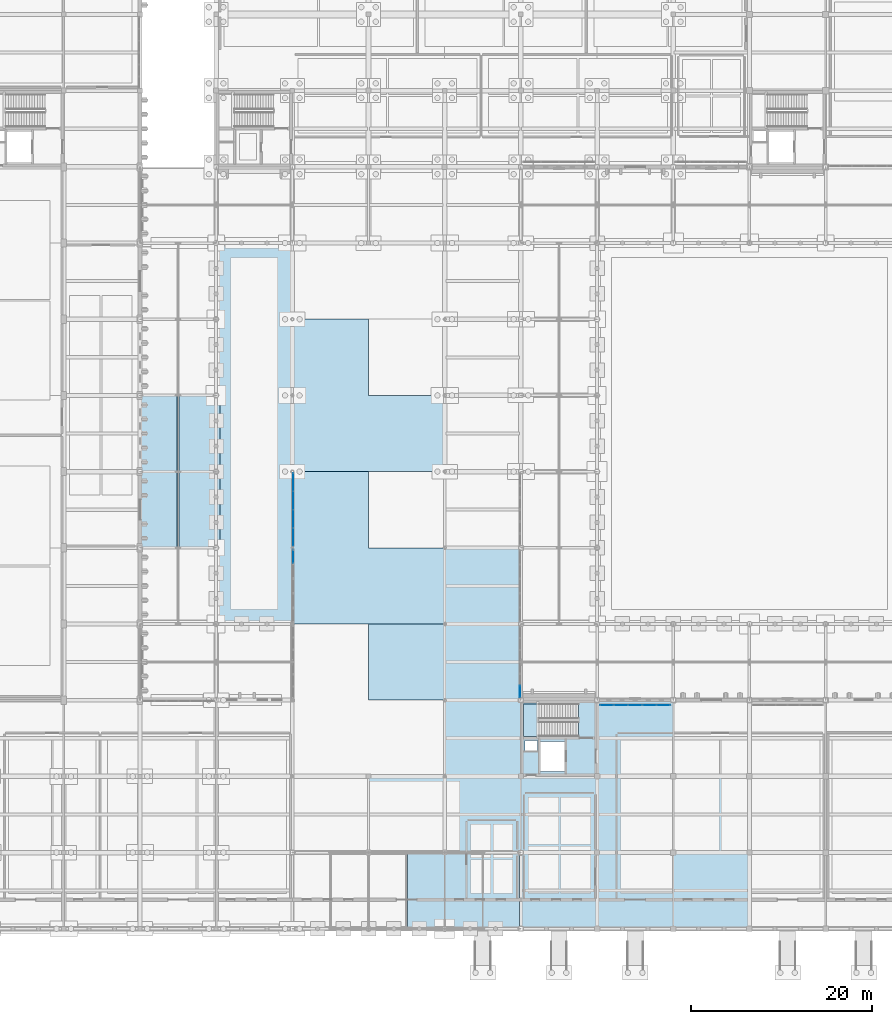
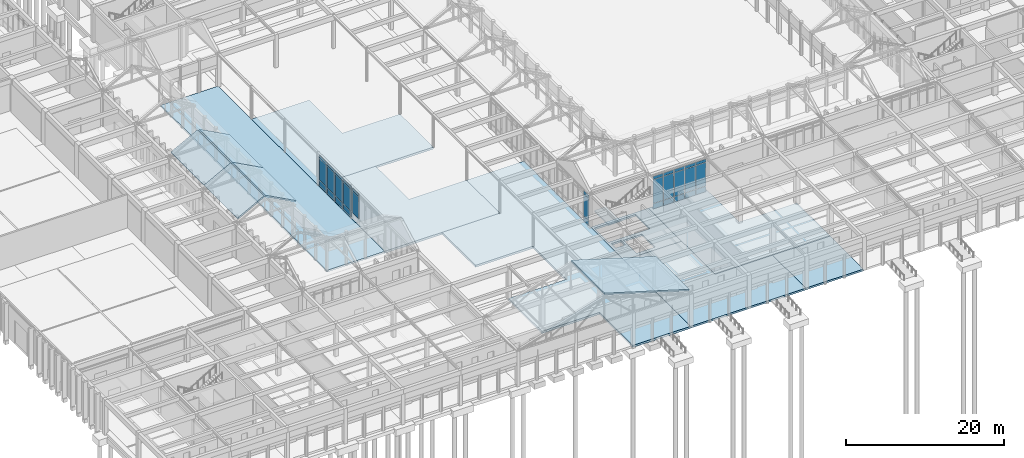
# One storey, part 72 of 143: 32 plates, 14 slabs, 5 elements without a shape of their own.
"""IFC4 building model written with IfcOpenShell, lengths in metres."""

from ifc_helpers import new_model, si_unit, direction, frame, origin, origin_2d, place, context, subcontext, project, spatial, polyline, rectangle, outline, extrude, material, layer, layer_set, type_object, element, aggregate, save


model = new_model("IFC4")

# Units and contexts
model_context = context("Model", 3, precision=1e-05, world=origin(), true_north=direction((0.0, 1.0)))
body_context = subcontext(model_context, "Body", "Model", "MODEL_VIEW")
ifc_project = project(units=[si_unit("LENGTHUNIT", "METRE"), si_unit("AREAUNIT", "SQUARE_METRE"), si_unit("VOLUMEUNIT", "CUBIC_METRE"), si_unit("PLANEANGLEUNIT", "RADIAN"), si_unit("MASSUNIT", "GRAM", prefix="KILO")], contexts=[model_context])

# Site, building, storey
site_placement = place(None, origin())
site = spatial("IfcSite", under=ifc_project, at=site_placement, CompositionType="ELEMENT")
building_placement = place(site_placement, origin())
building = spatial("IfcBuilding", under=site, at=building_placement, Name="Kveldsbrygga Polytechnic", CompositionType="ELEMENT")
storey_placement = place(building_placement, origin())
storey = spatial("IfcBuildingStorey", under=building, at=storey_placement, Name="L00", CompositionType="ELEMENT", Elevation=0.0)

# Curtain wall, plates
ifc_material_1 = material(Name="Anodised aluminium AW-6060", Category="aluminium")
ifc_layer_1 = layer(ifc_material_1, 0.179931640625)
ifc_layer_set_1 = layer_set([ifc_layer_1], Name="Anodised aluminium AW-6060")
curtain_wall_type_1 = type_object("IfcCurtainWallType", Name="CW-LANC-D", PredefinedType="USERDEFINED", material=ifc_layer_set_1)
curtain_wall_1_placement = place(storey_placement, origin())
curtain_wall_1 = element("IfcCurtainWall", 1, at=curtain_wall_1_placement, inside=storey, type_object=curtain_wall_type_1, Name="Curtain Wall CW-L00-Y-06-04", ObjectType="UNITISED CURTAIN WALL", PredefinedType="USERDEFINED")
ifc_material_2 = material(Name="Insulated triple low-E glass", Category="glass")
ifc_layer_2 = layer(ifc_material_2, 0.035888671875)
ifc_layer_set_2 = layer_set([ifc_layer_2], Name="Insulated triple low-E glass")
plate_type_1 = type_object("IfcPlateType", Name="CW-PAN-VIS36", PredefinedType="CURTAIN_PANEL", material=ifc_layer_set_2)
plate_1_placement = place(storey_placement, frame((50.5, 41.023681640625, 0.93017578125), z_axis=(0.0, 0.0, 1.0), x_axis=(0.0, 1.0, 0.0)))
plate_1 = element("IfcPlate", 2, at=plate_1_placement, type_object=plate_type_1, Name="CW-04 panel 5.2", PredefinedType="CURTAIN_PANEL", context=body_context, shape_type="SweptSolid", body=[
    extrude(rectangle(XDim=1.5087890625, YDim=0.035888671875, at=origin_2d()), origin(), (0.0, 0.0, 1.0), 3.320068359375),
])
plate_2_placement = place(storey_placement, frame((50.5, 41.023681640625, 4.31005859375), z_axis=(0.0, 0.0, 1.0), x_axis=(0.0, 1.0, 0.0)))
plate_2 = element("IfcPlate", 3, at=plate_2_placement, type_object=plate_type_1, Name="CW-04 panel 5.3", PredefinedType="CURTAIN_PANEL", context=body_context, shape_type="SweptSolid", body=[
    extrude(rectangle(XDim=1.5087890625, YDim=0.035888671875, at=origin_2d()), origin(), (0.0, 0.0, 1.0), 0.4599609375),
])
aggregate(curtain_wall_1, [plate_1, plate_2])

ifc_layer_3 = layer(ifc_material_1, 0.18994140625)
ifc_layer_set_3 = layer_set([ifc_layer_3], Name="Anodised aluminium AW-6060")
curtain_wall_type_2 = type_object("IfcCurtainWallType", Name="CW-REFC-G", PredefinedType="USERDEFINED", material=ifc_layer_set_3)
curtain_wall_2_placement = place(storey_placement, origin())
curtain_wall_2 = element("IfcCurtainWall", 4, at=curtain_wall_2_placement, inside=storey, type_object=curtain_wall_type_2, Name="Curtain Wall CW-L00-X-10-03", ObjectType="UNITISED CURTAIN WALL", PredefinedType="USERDEFINED")
plate_3_placement = place(storey_placement, frame((85.07763671875, 24.64990234375, 0.06005859375), z_axis=(0.0, 0.0, 1.0), x_axis=(1.0, 0.0, 0.0)))
plate_3 = element("IfcPlate", 5, at=plate_3_placement, type_object=plate_type_1, Name="CW-07 panel 1.1", PredefinedType="CURTAIN_PANEL", context=body_context, shape_type="SweptSolid", body=[
    extrude(rectangle(XDim=1.45556640625, YDim=0.035888671875, at=origin_2d()), origin(), (0.0, 0.0, 1.0), 0.81005859375),
])
plate_4_placement = place(storey_placement, frame((85.07763671875, 24.64990234375, 0.93017578125), z_axis=(0.0, 0.0, 1.0), x_axis=(1.0, 0.0, 0.0)))
plate_4 = element("IfcPlate", 6, at=plate_4_placement, type_object=plate_type_1, Name="CW-07 panel 1.2", PredefinedType="CURTAIN_PANEL", context=body_context, shape_type="SweptSolid", body=[
    extrude(rectangle(XDim=1.45556640625, YDim=0.035888671875, at=origin_2d()), origin(), (0.0, 0.0, 1.0), 3.6298828125),
])
plate_5_placement = place(storey_placement, frame((85.07763671875, 24.64990234375, 4.6201171875), z_axis=(0.0, 0.0, 1.0), x_axis=(1.0, 0.0, 0.0)))
plate_5 = element("IfcPlate", 7, at=plate_5_placement, type_object=plate_type_1, Name="CW-07 panel 1.3", PredefinedType="CURTAIN_PANEL", context=body_context, shape_type="SweptSolid", body=[
    extrude(rectangle(XDim=1.45556640625, YDim=0.035888671875, at=origin_2d()), origin(), (0.0, 0.0, 1.0), 0.4599609375),
])
plate_6_placement = place(storey_placement, frame((86.626953125, 24.64990234375, 0.06005859375), z_axis=(0.0, 0.0, 1.0), x_axis=(1.0, 0.0, 0.0)))
plate_6 = element("IfcPlate", 8, at=plate_6_placement, type_object=plate_type_1, Name="CW-07 panel 2.1", PredefinedType="CURTAIN_PANEL", context=body_context, shape_type="SweptSolid", body=[
    extrude(rectangle(XDim=1.492919921875, YDim=0.035888671875, at=origin_2d()), origin(), (0.0, 0.0, 1.0), 0.81005859375),
])
plate_7_placement = place(storey_placement, frame((86.626953125, 24.64990234375, 0.93017578125), z_axis=(0.0, 0.0, 1.0), x_axis=(1.0, 0.0, 0.0)))
plate_7 = element("IfcPlate", 9, at=plate_7_placement, type_object=plate_type_1, Name="CW-07 panel 2.2", PredefinedType="CURTAIN_PANEL", context=body_context, shape_type="SweptSolid", body=[
    extrude(rectangle(XDim=1.492919921875, YDim=0.035888671875, at=origin_2d()), origin(), (0.0, 0.0, 1.0), 3.6298828125),
])
plate_8_placement = place(storey_placement, frame((86.626953125, 24.64990234375, 4.6201171875), z_axis=(0.0, 0.0, 1.0), x_axis=(1.0, 0.0, 0.0)))
plate_8 = element("IfcPlate", 10, at=plate_8_placement, type_object=plate_type_1, Name="CW-07 panel 2.3", PredefinedType="CURTAIN_PANEL", context=body_context, shape_type="SweptSolid", body=[
    extrude(rectangle(XDim=1.492919921875, YDim=0.035888671875, at=origin_2d()), origin(), (0.0, 0.0, 1.0), 0.4599609375),
])
plate_9_placement = place(storey_placement, frame((88.195068359375, 24.64990234375, 0.06005859375), z_axis=(0.0, 0.0, 1.0), x_axis=(1.0, 0.0, 0.0)))
plate_9 = element("IfcPlate", 11, at=plate_9_placement, type_object=plate_type_1, Name="CW-07 panel 3.1", PredefinedType="CURTAIN_PANEL", context=body_context, shape_type="SweptSolid", body=[
    extrude(rectangle(XDim=1.492919921875, YDim=0.035888671875, at=origin_2d()), origin(), (0.0, 0.0, 1.0), 0.81005859375),
])
plate_10_placement = place(storey_placement, frame((88.195068359375, 24.64990234375, 0.93017578125), z_axis=(0.0, 0.0, 1.0), x_axis=(1.0, 0.0, 0.0)))
plate_10 = element("IfcPlate", 12, at=plate_10_placement, type_object=plate_type_1, Name="CW-07 panel 3.2", PredefinedType="CURTAIN_PANEL", context=body_context, shape_type="SweptSolid", body=[
    extrude(rectangle(XDim=1.492919921875, YDim=0.035888671875, at=origin_2d()), origin(), (0.0, 0.0, 1.0), 3.6298828125),
])
plate_11_placement = place(storey_placement, frame((88.195068359375, 24.64990234375, 4.6201171875), z_axis=(0.0, 0.0, 1.0), x_axis=(1.0, 0.0, 0.0)))
plate_11 = element("IfcPlate", 13, at=plate_11_placement, type_object=plate_type_1, Name="CW-07 panel 3.3", PredefinedType="CURTAIN_PANEL", context=body_context, shape_type="SweptSolid", body=[
    extrude(rectangle(XDim=1.492919921875, YDim=0.035888671875, at=origin_2d()), origin(), (0.0, 0.0, 1.0), 0.4599609375),
])
plate_12_placement = place(storey_placement, frame((89.762939453125, 24.64990234375, 0.06005859375), z_axis=(0.0, 0.0, 1.0), x_axis=(1.0, 0.0, 0.0)))
plate_12 = element("IfcPlate", 14, at=plate_12_placement, type_object=plate_type_1, Name="CW-07 panel 4.1", PredefinedType="CURTAIN_PANEL", context=body_context, shape_type="SweptSolid", body=[
    extrude(rectangle(XDim=1.492919921875, YDim=0.035888671875, at=origin_2d()), origin(), (0.0, 0.0, 1.0), 0.81005859375),
])
plate_13_placement = place(storey_placement, frame((89.762939453125, 24.64990234375, 0.93017578125), z_axis=(0.0, 0.0, 1.0), x_axis=(1.0, 0.0, 0.0)))
plate_13 = element("IfcPlate", 15, at=plate_13_placement, type_object=plate_type_1, Name="CW-07 panel 4.2", PredefinedType="CURTAIN_PANEL", context=body_context, shape_type="SweptSolid", body=[
    extrude(rectangle(XDim=1.492919921875, YDim=0.035888671875, at=origin_2d()), origin(), (0.0, 0.0, 1.0), 3.6298828125),
])
plate_14_placement = place(storey_placement, frame((89.762939453125, 24.64990234375, 4.6201171875), z_axis=(0.0, 0.0, 1.0), x_axis=(1.0, 0.0, 0.0)))
plate_14 = element("IfcPlate", 16, at=plate_14_placement, type_object=plate_type_1, Name="CW-07 panel 4.3", PredefinedType="CURTAIN_PANEL", context=body_context, shape_type="SweptSolid", body=[
    extrude(rectangle(XDim=1.492919921875, YDim=0.035888671875, at=origin_2d()), origin(), (0.0, 0.0, 1.0), 0.4599609375),
])
plate_15_placement = place(storey_placement, frame((91.312255859375, 24.64990234375, 0.06005859375), z_axis=(0.0, 0.0, 1.0), x_axis=(1.0, 0.0, 0.0)))
plate_15 = element("IfcPlate", 17, at=plate_15_placement, type_object=plate_type_1, Name="CW-07 panel 5.1", PredefinedType="CURTAIN_PANEL", context=body_context, shape_type="SweptSolid", body=[
    extrude(rectangle(XDim=1.45556640625, YDim=0.035888671875, at=origin_2d()), origin(), (0.0, 0.0, 1.0), 0.81005859375),
])
plate_16_placement = place(storey_placement, frame((91.312255859375, 24.64990234375, 0.93017578125), z_axis=(0.0, 0.0, 1.0), x_axis=(1.0, 0.0, 0.0)))
plate_16 = element("IfcPlate", 18, at=plate_16_placement, type_object=plate_type_1, Name="CW-07 panel 5.2", PredefinedType="CURTAIN_PANEL", context=body_context, shape_type="SweptSolid", body=[
    extrude(rectangle(XDim=1.45556640625, YDim=0.035888671875, at=origin_2d()), origin(), (0.0, 0.0, 1.0), 3.6298828125),
])
plate_17_placement = place(storey_placement, frame((91.312255859375, 24.64990234375, 4.6201171875), z_axis=(0.0, 0.0, 1.0), x_axis=(1.0, 0.0, 0.0)))
plate_17 = element("IfcPlate", 19, at=plate_17_placement, type_object=plate_type_1, Name="CW-07 panel 5.3", PredefinedType="CURTAIN_PANEL", context=body_context, shape_type="SweptSolid", body=[
    extrude(rectangle(XDim=1.45556640625, YDim=0.035888671875, at=origin_2d()), origin(), (0.0, 0.0, 1.0), 0.4599609375),
])
aggregate(curtain_wall_2, [plate_3, plate_4, plate_5, plate_6, plate_7, plate_8, plate_9, plate_10, plate_11, plate_12, plate_13, plate_14, plate_15, plate_16, plate_17])

ifc_layer_4 = layer(ifc_material_1, 0.199951171875)
ifc_layer_set_4 = layer_set([ifc_layer_4], Name="Anodised aluminium AW-6060")
curtain_wall_type_3 = type_object("IfcCurtainWallType", Name="CW-LANC-E", PredefinedType="USERDEFINED", material=ifc_layer_set_4)
curtain_wall_3_placement = place(storey_placement, origin())
curtain_wall_3 = element("IfcCurtainWall", 20, at=curtain_wall_3_placement, inside=storey, type_object=curtain_wall_type_3, Name="Curtain Wall CW-L00-Y-06-05", ObjectType="UNITISED CURTAIN WALL", PredefinedType="USERDEFINED")
ifc_layer_5 = layer(ifc_material_2, 0.0419921875)
ifc_layer_set_5 = layer_set([ifc_layer_5], Name="Insulated triple low-E glass")
plate_type_2 = type_object("IfcPlateType", Name="CW-PAN-VIS42", PredefinedType="CURTAIN_PANEL", material=ifc_layer_set_5)
plate_18_placement = place(storey_placement, frame((50.5, 43.17529296875, 0.06005859375), z_axis=(0.0, 0.0, 1.0), x_axis=(0.0, 1.0, 0.0)))
plate_18 = element("IfcPlate", 21, at=plate_18_placement, type_object=plate_type_2, Name="CW-05 panel 1.1", PredefinedType="CURTAIN_PANEL", context=body_context, shape_type="SweptSolid", body=[
    extrude(rectangle(XDim=1.9365234375, YDim=0.0419921875, at=origin_2d()), origin(), (0.0, 0.0, 1.0), 0.81005859375),
])
plate_19_placement = place(storey_placement, frame((50.5, 43.17529296875, 0.93017578125), z_axis=(0.0, 0.0, 1.0), x_axis=(0.0, 1.0, 0.0)))
plate_19 = element("IfcPlate", 22, at=plate_19_placement, type_object=plate_type_2, Name="CW-05 panel 1.2", PredefinedType="CURTAIN_PANEL", context=body_context, shape_type="SweptSolid", body=[
    extrude(rectangle(XDim=1.9365234375, YDim=0.0419921875, at=origin_2d()), origin(), (0.0, 0.0, 1.0), 3.320068359375),
])
plate_20_placement = place(storey_placement, frame((50.5, 43.17529296875, 4.31005859375), z_axis=(0.0, 0.0, 1.0), x_axis=(0.0, 1.0, 0.0)))
plate_20 = element("IfcPlate", 23, at=plate_20_placement, type_object=plate_type_2, Name="CW-05 panel 1.3", PredefinedType="CURTAIN_PANEL", context=body_context, shape_type="SweptSolid", body=[
    extrude(rectangle(XDim=1.9365234375, YDim=0.0419921875, at=origin_2d()), origin(), (0.0, 0.0, 1.0), 0.4599609375),
])
plate_21_placement = place(storey_placement, frame((50.5, 45.186767578125, 0.06005859375), z_axis=(0.0, 0.0, 1.0), x_axis=(0.0, 1.0, 0.0)))
plate_21 = element("IfcPlate", 24, at=plate_21_placement, type_object=plate_type_2, Name="CW-05 panel 2.1", PredefinedType="CURTAIN_PANEL", context=body_context, shape_type="SweptSolid", body=[
    extrude(rectangle(XDim=1.966552734375, YDim=0.0419921875, at=origin_2d()), origin(), (0.0, 0.0, 1.0), 0.81005859375),
])
plate_22_placement = place(storey_placement, frame((50.5, 45.186767578125, 0.93017578125), z_axis=(0.0, 0.0, 1.0), x_axis=(0.0, 1.0, 0.0)))
plate_22 = element("IfcPlate", 25, at=plate_22_placement, type_object=plate_type_2, Name="CW-05 panel 2.2", PredefinedType="CURTAIN_PANEL", context=body_context, shape_type="SweptSolid", body=[
    extrude(rectangle(XDim=1.966552734375, YDim=0.0419921875, at=origin_2d()), origin(), (0.0, 0.0, 1.0), 3.320068359375),
])
plate_23_placement = place(storey_placement, frame((50.5, 45.186767578125, 4.31005859375), z_axis=(0.0, 0.0, 1.0), x_axis=(0.0, 1.0, 0.0)))
plate_23 = element("IfcPlate", 26, at=plate_23_placement, type_object=plate_type_2, Name="CW-05 panel 2.3", PredefinedType="CURTAIN_PANEL", context=body_context, shape_type="SweptSolid", body=[
    extrude(rectangle(XDim=1.966552734375, YDim=0.0419921875, at=origin_2d()), origin(), (0.0, 0.0, 1.0), 0.4599609375),
])
plate_24_placement = place(storey_placement, frame((50.5, 47.21337890625, 0.06005859375), z_axis=(0.0, 0.0, 1.0), x_axis=(0.0, 1.0, 0.0)))
plate_24 = element("IfcPlate", 27, at=plate_24_placement, type_object=plate_type_2, Name="CW-05 panel 3.1", PredefinedType="CURTAIN_PANEL", context=body_context, shape_type="SweptSolid", body=[
    extrude(rectangle(XDim=1.966552734375, YDim=0.0419921875, at=origin_2d()), origin(), (0.0, 0.0, 1.0), 0.81005859375),
])
plate_25_placement = place(storey_placement, frame((50.5, 47.21337890625, 0.93017578125), z_axis=(0.0, 0.0, 1.0), x_axis=(0.0, 1.0, 0.0)))
plate_25 = element("IfcPlate", 28, at=plate_25_placement, type_object=plate_type_2, Name="CW-05 panel 3.2", PredefinedType="CURTAIN_PANEL", context=body_context, shape_type="SweptSolid", body=[
    extrude(rectangle(XDim=1.966552734375, YDim=0.0419921875, at=origin_2d()), origin(), (0.0, 0.0, 1.0), 3.320068359375),
])
plate_26_placement = place(storey_placement, frame((50.5, 47.21337890625, 4.31005859375), z_axis=(0.0, 0.0, 1.0), x_axis=(0.0, 1.0, 0.0)))
plate_26 = element("IfcPlate", 29, at=plate_26_placement, type_object=plate_type_2, Name="CW-05 panel 3.3", PredefinedType="CURTAIN_PANEL", context=body_context, shape_type="SweptSolid", body=[
    extrude(rectangle(XDim=1.966552734375, YDim=0.0419921875, at=origin_2d()), origin(), (0.0, 0.0, 1.0), 0.4599609375),
])
plate_27_placement = place(storey_placement, frame((50.5, 49.224853515625, 0.06005859375), z_axis=(0.0, 0.0, 1.0), x_axis=(0.0, 1.0, 0.0)))
plate_27 = element("IfcPlate", 30, at=plate_27_placement, type_object=plate_type_2, Name="CW-05 panel 4.1", PredefinedType="CURTAIN_PANEL", context=body_context, shape_type="SweptSolid", body=[
    extrude(rectangle(XDim=1.9365234375, YDim=0.0419921875, at=origin_2d()), origin(), (0.0, 0.0, 1.0), 0.81005859375),
])
plate_28_placement = place(storey_placement, frame((50.5, 49.224853515625, 0.93017578125), z_axis=(0.0, 0.0, 1.0), x_axis=(0.0, 1.0, 0.0)))
plate_28 = element("IfcPlate", 31, at=plate_28_placement, type_object=plate_type_2, Name="CW-05 panel 4.2", PredefinedType="CURTAIN_PANEL", context=body_context, shape_type="SweptSolid", body=[
    extrude(rectangle(XDim=1.9365234375, YDim=0.0419921875, at=origin_2d()), origin(), (0.0, 0.0, 1.0), 3.320068359375),
])
plate_29_placement = place(storey_placement, frame((50.5, 49.224853515625, 4.31005859375), z_axis=(0.0, 0.0, 1.0), x_axis=(0.0, 1.0, 0.0)))
plate_29 = element("IfcPlate", 32, at=plate_29_placement, type_object=plate_type_2, Name="CW-05 panel 4.3", PredefinedType="CURTAIN_PANEL", context=body_context, shape_type="SweptSolid", body=[
    extrude(rectangle(XDim=1.9365234375, YDim=0.0419921875, at=origin_2d()), origin(), (0.0, 0.0, 1.0), 0.4599609375),
])
aggregate(curtain_wall_3, [plate_18, plate_19, plate_20, plate_21, plate_22, plate_23, plate_24, plate_25, plate_26, plate_27, plate_28, plate_29])

ifc_layer_6 = layer(ifc_material_1, 0.169921875)
ifc_layer_set_6 = layer_set([ifc_layer_6], Name="Anodised aluminium AW-6060")
curtain_wall_type_4 = type_object("IfcCurtainWallType", Name="CW-FOYR-F", PredefinedType="USERDEFINED", material=ifc_layer_set_6)
curtain_wall_4_placement = place(storey_placement, origin())
curtain_wall_4 = element("IfcCurtainWall", 33, at=curtain_wall_4_placement, inside=storey, type_object=curtain_wall_type_4, Name="Curtain Wall CW-L00-Y-09-03", ObjectType="STICK CURTAIN WALL", PredefinedType="USERDEFINED")
ifc_layer_7 = layer(ifc_material_2, 0.048095703125)
ifc_layer_set_7 = layer_set([ifc_layer_7], Name="Insulated triple low-E glass")
plate_type_3 = type_object("IfcPlateType", Name="CW-PAN-VIS48", PredefinedType="CURTAIN_PANEL", material=ifc_layer_set_7)
plate_30_placement = place(storey_placement, frame((75.5, 26.15673828125, 0.074951171875), z_axis=(0.0, 0.0, 1.0), x_axis=(0.0, 1.0, 0.0)))
plate_30 = element("IfcPlate", 34, at=plate_30_placement, type_object=plate_type_3, Name="CW-06 panel 1.1", PredefinedType="CURTAIN_PANEL", context=body_context, shape_type="SweptSolid", body=[
    extrude(rectangle(XDim=1.223388671875, YDim=0.048095703125, at=origin_2d()), origin(), (0.0, 0.0, 1.0), 0.78759765625),
])
plate_31_placement = place(storey_placement, frame((75.5, 26.15673828125, 0.9375), z_axis=(0.0, 0.0, 1.0), x_axis=(0.0, 1.0, 0.0)))
plate_31 = element("IfcPlate", 35, at=plate_31_placement, type_object=plate_type_3, Name="CW-06 panel 1.2", PredefinedType="CURTAIN_PANEL", context=body_context, shape_type="SweptSolid", body=[
    extrude(rectangle(XDim=1.223388671875, YDim=0.048095703125, at=origin_2d()), origin(), (0.0, 0.0, 1.0), 3.304931640625),
])
plate_32_placement = place(storey_placement, frame((75.5, 26.15673828125, 4.3173828125), z_axis=(0.0, 0.0, 1.0), x_axis=(0.0, 1.0, 0.0)))
plate_32 = element("IfcPlate", 36, at=plate_32_placement, type_object=plate_type_3, Name="CW-06 panel 1.3", PredefinedType="CURTAIN_PANEL", context=body_context, shape_type="SweptSolid", body=[
    extrude(rectangle(XDim=1.223388671875, YDim=0.048095703125, at=origin_2d()), origin(), (0.0, 0.0, 1.0), 0.4375),
])
aggregate(curtain_wall_4, [plate_30, plate_31, plate_32])

# Slabs
ifc_material_3 = material(Name="Concrete C35/45", Category="concrete")
ifc_layer_8 = layer(ifc_material_3, 0.280029296875)
ifc_layer_set_8 = layer_set([ifc_layer_8], Name="Concrete C35/45")
slab_type_1 = type_object("IfcSlabType", Name="SLB-COURT-280", PredefinedType="BASESLAB", material=ifc_layer_set_8)
slab_1_placement = place(storey_placement, frame((0.0, 0.0, -0.280029296875)))
element("IfcSlab", 37, at=slab_1_placement, inside=storey, type_object=slab_type_1, Name="Paved Quadrangle Slab WCOURT", PredefinedType="BASESLAB", context=body_context, shape_type="SweptSolid", body=[
    extrude(outline(polyline([(42.0, 33.60009765625), (50.39990234375, 33.60009765625), (50.39990234375, 75.60009765625), (42.0, 75.60009765625), (42.0, 33.60009765625)])), origin(), (0.0, 0.0, 1.0), 0.280029296875),
])
ifc_layer_9 = layer(ifc_material_3, 0.320068359375)
ifc_layer_set_9 = layer_set([ifc_layer_9], Name="Concrete C35/45")
slab_type_2 = type_object("IfcSlabType", Name="SLB-GND-320", PredefinedType="FLOOR", material=ifc_layer_set_9)
slab_2_placement = place(storey_placement, frame((0.0, 0.0, -0.320068359375)))
element("IfcSlab", 38, at=slab_2_placement, inside=storey, type_object=slab_type_2, Name="Slab SLB-L00-V5-CONC-L03-1", PredefinedType="FLOOR", context=body_context, shape_type="SweptSolid", body=[
    extrude(outline(polyline([(50.39990234375, 33.60009765625), (50.39990234375, 42.0), (50.39990234375, 50.39990234375), (58.800048828125, 50.39990234375), (58.800048828125, 42.0), (67.199951171875, 42.0), (67.199951171875, 33.60009765625), (58.800048828125, 33.60009765625), (50.39990234375, 33.60009765625)])), origin(), (0.0, 0.0, 1.0), 0.320068359375),
])
slab_3_placement = place(storey_placement, frame((0.0, 0.0, -0.320068359375)))
element("IfcSlab", 39, at=slab_3_placement, inside=storey, type_object=slab_type_2, Name="Slab SLB-L00-V5-CONC-L04-1", PredefinedType="FLOOR", context=body_context, shape_type="SweptSolid", body=[
    extrude(outline(polyline([(50.39990234375, 50.39990234375), (50.39990234375, 58.800048828125), (50.39990234375, 67.199951171875), (58.800048828125, 67.199951171875), (58.800048828125, 58.800048828125), (67.199951171875, 58.800048828125), (67.199951171875, 50.39990234375), (58.800048828125, 50.39990234375), (50.39990234375, 50.39990234375)])), origin(), (0.0, 0.0, 1.0), 0.320068359375),
])
slab_4_placement = place(storey_placement, frame((0.0, 0.0, -0.320068359375)))
element("IfcSlab", 40, at=slab_4_placement, inside=storey, type_object=slab_type_2, Name="Slab SLB-L00-V5-CONC-Z2-1", PredefinedType="FLOOR", context=body_context, shape_type="SweptSolid", body=[
    extrude(outline(polyline([(67.199951171875, 0.0), (67.199951171875, 8.39990234375), (58.800048828125, 8.39990234375), (58.800048828125, 16.800048828125), (67.199951171875, 16.800048828125), (67.199951171875, 25.199951171875), (58.800048828125, 25.199951171875), (58.800048828125, 33.60009765625), (67.199951171875, 33.60009765625), (67.199951171875, 42.0), (75.60009765625, 42.0), (75.60009765625, 33.60009765625), (75.60009765625, 25.199951171875), (75.60009765625, 16.800048828125), (75.60009765625, 8.39990234375), (75.60009765625, 0.0), (67.199951171875, 0.0)])), origin(), (0.0, 0.0, 1.0), 0.320068359375),
])

# Stair, slab
stair_type = type_object("IfcStairType", Name="STR-CORE-544", PredefinedType="HALF_TURN_STAIR", material=ifc_material_3)
stair_placement = place(storey_placement, origin())
stair = element("IfcStair", 41, at=stair_placement, inside=storey, type_object=stair_type, Name="L00 Core C6 Escape Stair ST-6", PredefinedType="HALF_TURN_STAIR")
ifc_layer_10 = layer(ifc_material_3, 0.199951171875)
ifc_layer_set_10 = layer_set([ifc_layer_10], Name="Concrete C35/45")
slab_type_3 = type_object("IfcSlabType", Name="SLB-LANDING-200", PredefinedType="LANDING", material=ifc_layer_set_10)
slab_5_placement = place(storey_placement, frame((0.0, 0.0, 2.52001953125)))
slab_5 = element("IfcSlab", 42, at=slab_5_placement, type_object=slab_type_3, Name="ST-6 landing 1", PredefinedType="LANDING", context=body_context, shape_type="SweptSolid", body=[
    extrude(outline(polyline([(77.60009765625, 24.800048828125), (75.89990234375, 24.800048828125), (75.89990234375, 21.199951171875), (77.60009765625, 21.199951171875), (77.60009765625, 24.800048828125)])), origin(), (0.0, 0.0, 1.0), 0.199951171875),
])
aggregate(stair, [slab_5])

# Slabs
ifc_layer_11 = layer(ifc_material_3, 0.219970703125)
ifc_layer_set_11 = layer_set([ifc_layer_11], Name="Concrete C35/45")
slab_type_4 = type_object("IfcSlabType", Name="SLB-ROOF-220", PredefinedType="ROOF", material=ifc_layer_set_11)
slab_6_placement = place(storey_placement, frame((63.08349609375, 0.0, 9.49462890625), z_axis=(0.28874289644, 0.0, 0.957406674175), x_axis=(0.957406674175, 0.0, -0.28874289644)))
element("IfcSlab", 43, at=slab_6_placement, inside=storey, type_object=slab_type_4, Name="Pitched Roof Slab V5P-RSLB-1-2", PredefinedType="ROOF", context=body_context, shape_type="SweptSolid", body=[
    extrude(outline(polyline([(0.0, 0.0), (12.906161661284484, 0.0), (12.906161661284484, 8.39990234375), (0.0, 8.39990234375), (0.0, 0.0)])), origin(), (0.0, 0.0, -1.0), 0.219970703125),
])
slab_7_placement = place(storey_placement, frame((33.780029296875, 42.0, 5.83203125), z_axis=(-0.472224478215, 0.0, 0.881478327683), x_axis=(0.881478327683, 0.0, 0.472224478215)))
element("IfcSlab", 44, at=slab_7_placement, inside=storey, type_object=slab_type_4, Name="Pitched Roof Slab ARC-WW-RSLB-2-1", PredefinedType="ROOF", context=body_context, shape_type="SweptSolid", body=[
    extrude(outline(polyline([(0.0, 0.0), (4.4198433148005645, 0.0), (4.4198433148005645, 8.39990234375), (0.0, 8.39990234375), (0.0, 0.0)])), origin(), (0.0, 0.0, -1.0), 0.219970703125),
])
slab_8_placement = place(storey_placement, frame((37.923828125, 42.0, 7.919189453125), z_axis=(0.472229417678, 0.0, 0.881475681502), x_axis=(0.881475681502, 0.0, -0.472229417678)))
element("IfcSlab", 45, at=slab_8_placement, inside=storey, type_object=slab_type_4, Name="Pitched Roof Slab ARC-WW-RSLB-2-2", PredefinedType="ROOF", context=body_context, shape_type="SweptSolid", body=[
    extrude(outline(polyline([(0.0, 0.0), (5.077932735618123, 0.0), (5.077932735618123, 8.39990234375), (0.0, 8.39990234375), (0.0, 0.0)])), origin(), (0.0, 0.0, -1.0), 0.219970703125),
])
slab_9_placement = place(storey_placement, frame((33.780029296875, 50.39990234375, 5.83203125), z_axis=(-0.472224478215, 0.0, 0.881478327683), x_axis=(0.881478327683, 0.0, 0.472224478215)))
element("IfcSlab", 46, at=slab_9_placement, inside=storey, type_object=slab_type_4, Name="Pitched Roof Slab ARC-WW-RSLB-3-1", PredefinedType="ROOF", context=body_context, shape_type="SweptSolid", body=[
    extrude(outline(polyline([(0.0, 0.0), (4.4198433148005645, 0.0), (4.4198433148005645, 8.400146484374998), (0.0, 8.400146484374998), (0.0, 0.0)])), origin(), (0.0, 0.0, -1.0), 0.219970703125),
])
slab_10_placement = place(storey_placement, frame((37.923828125, 50.39990234375, 7.919189453125), z_axis=(0.472229417678, 0.0, 0.881475681502), x_axis=(0.881475681502, 0.0, -0.472229417678)))
element("IfcSlab", 47, at=slab_10_placement, inside=storey, type_object=slab_type_4, Name="Pitched Roof Slab ARC-WW-RSLB-3-2", PredefinedType="ROOF", context=body_context, shape_type="SweptSolid", body=[
    extrude(outline(polyline([(0.0, 0.0), (5.077932735618123, 0.0), (5.077932735618123, 8.400146484375), (0.0, 8.400146484375), (0.0, 0.0)])), origin(), (0.0, 0.0, -1.0), 0.219970703125),
])
ifc_layer_12 = layer(ifc_material_3, 0.280029296875)
ifc_layer_set_12 = layer_set([ifc_layer_12], Name="Concrete C35/45")
slab_type_5 = type_object("IfcSlabType", Name="SLB-STD-280", PredefinedType="FLOOR", material=ifc_layer_set_12)
slab_11_placement = place(storey_placement, frame((0.0, 0.0, -0.280029296875)))
element("IfcSlab", 48, at=slab_11_placement, inside=storey, type_object=slab_type_5, Name="Slab SLB-L00-V3-L01-1", PredefinedType="FLOOR", context=body_context, shape_type="SweptSolid", body=[
    extrude(outline(polyline([(75.60009765625, 0.0), (75.60009765625, 8.39990234375), (75.60009765625, 16.800048828125), (84.0, 16.800048828125), (84.0, 8.39990234375), (92.39990234375, 8.39990234375), (92.39990234375, 0.0), (84.0, 0.0), (75.60009765625, 0.0)])), origin(), (0.0, 0.0, 1.0), 0.280029296875),
])
slab_12_placement = place(storey_placement, frame((0.0, 0.0, -0.280029296875)))
element("IfcSlab", 49, at=slab_12_placement, inside=storey, type_object=slab_type_5, Name="Slab SLB-L00-V3-L02-1", PredefinedType="FLOOR", context=body_context, shape_type="SweptSolid", body=[
    extrude(outline(polyline([(84.0, 8.39990234375), (84.0, 16.800048828125), (84.0, 25.199951171875), (92.39990234375, 25.199951171875), (92.39990234375, 16.800048828125), (100.800048828125, 16.800048828125), (100.800048828125, 8.39990234375), (92.39990234375, 8.39990234375), (84.0, 8.39990234375)])), origin(), (0.0, 0.0, 1.0), 0.280029296875),
])
slab_13_placement = place(storey_placement, frame((0.0, 0.0, -0.280029296875)))
element("IfcSlab", 50, at=slab_13_placement, inside=storey, type_object=slab_type_5, Name="Slab SLB-L00-V3-Z2-1", PredefinedType="FLOOR", context=body_context, shape_type="SweptSolid", body=[
    extrude(outline(polyline([(92.39990234375, 8.39990234375), (100.800048828125, 8.39990234375), (100.800048828125, 0.0), (92.39990234375, 0.0), (92.39990234375, 8.39990234375)])), origin(), (0.0, 0.0, 1.0), 0.280029296875),
])
slab_14_placement = place(storey_placement, frame((0.0, 0.0, -0.280029296875)))
element("IfcSlab", 51, at=slab_14_placement, inside=storey, type_object=slab_type_5, Name="Slab SLB-L00-V3-Z2-2", PredefinedType="FLOOR", context=body_context, shape_type="SweptSolid", body=[
    extrude(outline(polyline([(75.60009765625, 25.199951171875), (84.0, 25.199951171875), (84.0, 16.800048828125), (75.60009765625, 16.800048828125), (75.60009765625, 25.199951171875)]), holes=[polyline([(81.925048828125, 24.800048828125), (75.89990234375, 24.800048828125), (75.89990234375, 21.199951171875), (81.925048828125, 21.199951171875), (81.925048828125, 24.800048828125)]), polyline([(77.75, 17.35009765625), (80.449951171875, 17.35009765625), (80.449951171875, 20.64990234375), (77.75, 20.64990234375), (77.75, 17.35009765625)]), polyline([(76.050048828125, 19.64990234375), (77.449951171875, 19.64990234375), (77.449951171875, 20.75), (76.050048828125, 20.75), (76.050048828125, 19.64990234375)])]), origin(), (0.0, 0.0, 1.0), 0.280029296875),
])

save(model, "model.ifc")
